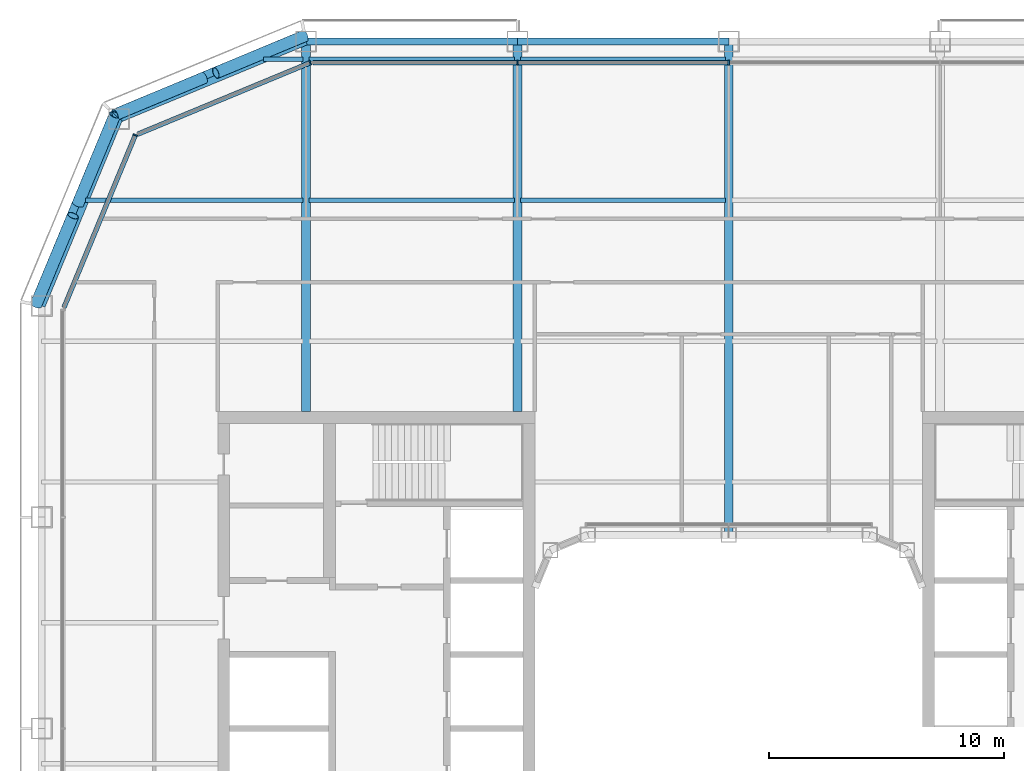
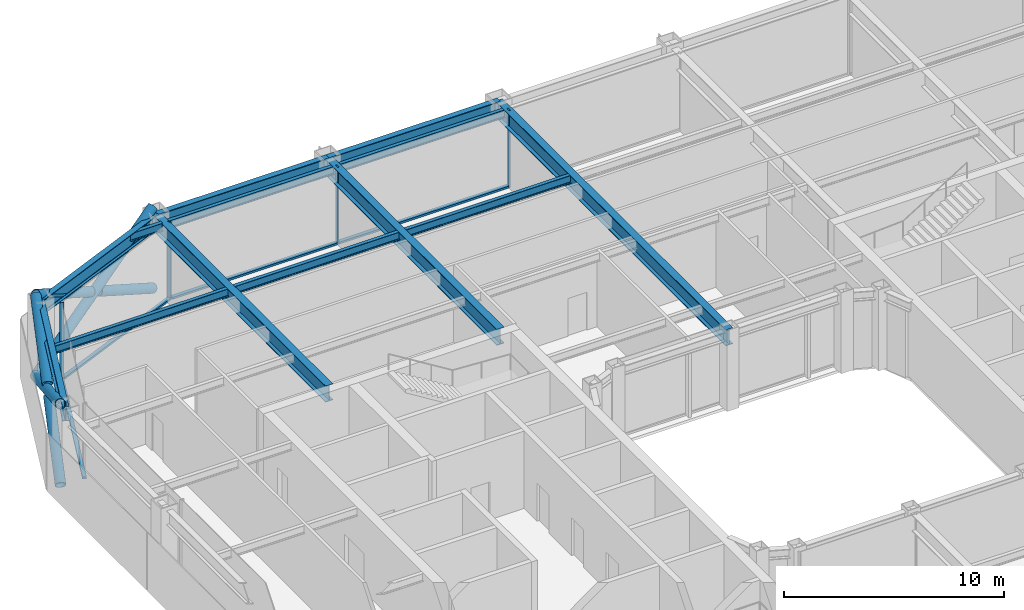
# One storey, part 7 of 21: 14 members, 13 beams, 3 elements without a shape of their own.
"""IFC4 building model written with IfcOpenShell, lengths in metres."""

from ifc_helpers import new_model, si_unit, direction, frame, origin, origin_2d, place, context, subcontext, project, spatial, rectangle, hollow_circle, i_section, extrude, material, layer, layer_set, material_profile, profile_set, type_object, element, aggregate, save


model = new_model("IFC4")

# Units and contexts
model_context = context("Model", 3, precision=1e-05, world=origin(), true_north=direction((0.0, 1.0)))
body_context = subcontext(model_context, "Body", "Model", "MODEL_VIEW")
ifc_project = project(units=[si_unit("LENGTHUNIT", "METRE"), si_unit("AREAUNIT", "SQUARE_METRE"), si_unit("VOLUMEUNIT", "CUBIC_METRE"), si_unit("PLANEANGLEUNIT", "RADIAN"), si_unit("MASSUNIT", "GRAM", prefix="KILO")], contexts=[model_context])

# Site, building, storey
site_placement = place(None, origin())
site = spatial("IfcSite", under=ifc_project, at=site_placement, CompositionType="ELEMENT")
building_placement = place(site_placement, origin())
building = spatial("IfcBuilding", under=site, at=building_placement, Name="Siwar Civic Tower", CompositionType="ELEMENT")
storey_placement = place(building_placement, frame((0.0, 0.0, 176.699951171875)))
storey = spatial("IfcBuildingStorey", under=building, at=storey_placement, Name="L38", CompositionType="ELEMENT", Elevation=176.699951171875)

# Curtain wall, members
ifc_material_1 = material(Name="Aluminium and glass", Category="aluminium")
ifc_layer_1 = layer(ifc_material_1, 0.199951171875)
ifc_layer_set_1 = layer_set([ifc_layer_1], Name="Aluminium and glass")
curtain_wall_type_1 = type_object("IfcCurtainWallType", Name="ENV-CW-B", PredefinedType="NOTDEFINED", material=ifc_layer_set_1)
curtain_wall_1_placement = place(storey_placement, origin())
curtain_wall_1 = element("IfcCurtainWall", 1, at=curtain_wall_1_placement, inside=storey, type_object=curtain_wall_type_1, Name="Curtain wall B N", PredefinedType="NOTDEFINED")
ifc_material_2 = material(Name="Aluminium 6063-T6", Category="aluminium")
ifc_material_profile_1 = material_profile(ifc_material_2, rectangle(XDim=0.199951171875, YDim=0.06494140625, at=origin_2d()), Name="AL 200x65")
ifc_profile_set_1 = profile_set([ifc_material_profile_1], Name="Aluminium 6063-T6")
member_type_1 = type_object("IfcMemberType", Name="ENV-MULLION-B", PredefinedType="MULLION", material=ifc_profile_set_1)
member_1_placement = place(storey_placement, frame((0.0, 28.35009765625, 0.0), z_axis=(0.0, 0.0, 1.0), x_axis=(0.0, -1.0, 0.0)))
member_1 = element("IfcMember", 2, at=member_1_placement, type_object=member_type_1, Name="Mullion B N 3", PredefinedType="MULLION", context=body_context, shape_type="SweptSolid", body=[
    extrude(rectangle(XDim=0.199951171875, YDim=0.06494140625, at=origin_2d()), origin(), (0.0, 0.0, 1.0), 4.300048828125),
])
member_2_placement = place(storey_placement, frame((-9.0, 28.35009765625, 0.0), z_axis=(0.0, 0.0, 1.0), x_axis=(0.0, -1.0, 0.0)))
member_2 = element("IfcMember", 3, at=member_2_placement, type_object=member_type_1, Name="Mullion B N 4", PredefinedType="MULLION", context=body_context, shape_type="SweptSolid", body=[
    extrude(rectangle(XDim=0.199951171875, YDim=0.06494140625, at=origin_2d()), origin(), (0.0, 0.0, 1.0), 4.300048828125),
])

# Curtain wall, member
ifc_material_3 = material(Name="Aluminium clad insulated panel", Category="aluminium")
ifc_layer_2 = layer(ifc_material_3, 0.199951171875)
ifc_layer_set_2 = layer_set([ifc_layer_2], Name="Aluminium clad insulated panel")
curtain_wall_type_2 = type_object("IfcCurtainWallType", Name="ENV-CW-BX", PredefinedType="NOTDEFINED", material=ifc_layer_set_2)
curtain_wall_2_placement = place(storey_placement, origin())
curtain_wall_2 = element("IfcCurtainWall", 4, at=curtain_wall_2_placement, inside=storey, type_object=curtain_wall_type_2, Name="Curtain wall B NW1", PredefinedType="NOTDEFINED")
member_3_placement = place(storey_placement, frame((-17.821044921875, 28.35009765625, 0.0), z_axis=(0.0, 0.0, 1.0), x_axis=(0.382683432365, -0.923879532511, 0.0)))
member_3 = element("IfcMember", 5, at=member_3_placement, type_object=member_type_1, Name="Mullion B NW1 1", PredefinedType="MULLION", context=body_context, shape_type="SweptSolid", body=[
    extrude(rectangle(XDim=0.199951171875, YDim=0.06494140625, at=origin_2d()), origin(), (0.0, 0.0, 1.0), 4.300048828125),
])

curtain_wall_3_placement = place(storey_placement, origin())
curtain_wall_3 = element("IfcCurtainWall", 6, at=curtain_wall_3_placement, inside=storey, type_object=curtain_wall_type_2, Name="Curtain wall B NW2", PredefinedType="NOTDEFINED")
member_4_placement = place(storey_placement, frame((-25.26611328125, 25.26611328125, 0.0), z_axis=(0.0, 0.0, 1.0), x_axis=(0.923879532511, -0.382683432365, 0.0)))
member_4 = element("IfcMember", 7, at=member_4_placement, type_object=member_type_1, Name="Mullion B NW2 1", PredefinedType="MULLION", context=body_context, shape_type="SweptSolid", body=[
    extrude(rectangle(XDim=0.199951171875, YDim=0.06494140625, at=origin_2d()), origin(), (0.0, 0.0, 1.0), 4.300048828125),
])

# Member
ifc_material_4 = material(Name="Aluminium 6063-T6", Category="aluminium")
ifc_material_profile_2 = material_profile(ifc_material_4, rectangle(XDim=0.199951171875, YDim=0.110107421875, at=origin_2d()), Name="AL 200x110")
ifc_profile_set_2 = profile_set([ifc_material_profile_2], Name="Aluminium 6063-T6")
member_type_2 = type_object("IfcMemberType", Name="ENV-TRANSOM-B", PredefinedType="USERDEFINED", material=ifc_profile_set_2)
member_5_placement = place(storey_placement, frame((-0.032470703125, 28.35009765625, 0.054931640625), z_axis=(-1.0, 0.0, 0.0), x_axis=(0.0, -1.0, 0.0)))
member_5 = element("IfcMember", 8, at=member_5_placement, type_object=member_type_2, Name="Transom B N 3", ObjectType="TRANSOM", PredefinedType="USERDEFINED", context=body_context, shape_type="SweptSolid", body=[
    extrude(rectangle(XDim=0.199951171875, YDim=0.110107421875, at=origin_2d()), origin(), (0.0, 0.0, 1.0), 8.93505859375),
])

member_6_placement = place(storey_placement, frame((-9.032470703125, 28.35009765625, 0.054931640625), z_axis=(-1.0, 0.0, 0.0), x_axis=(0.0, -1.0, 0.0)))
member_6 = element("IfcMember", 9, at=member_6_placement, type_object=member_type_2, Name="Transom B N 4", ObjectType="TRANSOM", PredefinedType="USERDEFINED", context=body_context, shape_type="SweptSolid", body=[
    extrude(rectangle(XDim=0.199951171875, YDim=0.110107421875, at=origin_2d()), origin(), (0.0, 0.0, 1.0), 8.6748046875),
])

aggregate(curtain_wall_1, [member_1, member_2, member_5, member_6])

member_7_placement = place(storey_placement, frame((-17.85107421875, 28.337646484375, 0.054931640625), z_axis=(-0.92387279587, -0.382699695651, 0.0), x_axis=(0.382699695651, -0.92387279587, 0.0)))
member_7 = element("IfcMember", 10, at=member_7_placement, type_object=member_type_2, Name="Transom B NW1 1", ObjectType="TRANSOM", PredefinedType="USERDEFINED", context=body_context, shape_type="SweptSolid", body=[
    extrude(rectangle(XDim=0.199951171875, YDim=0.110107421875, at=origin_2d()), origin(), (0.0, 0.0, 1.0), 7.912353515625),
])

aggregate(curtain_wall_2, [member_3, member_7])

member_8_placement = place(storey_placement, frame((-25.278564453125, 25.236083984375, 0.054931640625), z_axis=(-0.382673358825, -0.923883705044, 0.0), x_axis=(0.923883705044, -0.382673358825, 0.0)))
member_8 = element("IfcMember", 11, at=member_8_placement, type_object=member_type_2, Name="Transom B NW2 1", ObjectType="TRANSOM", PredefinedType="USERDEFINED", context=body_context, shape_type="SweptSolid", body=[
    extrude(rectangle(XDim=0.199951171875, YDim=0.110107421875, at=origin_2d()), origin(), (0.0, 0.0, 1.0), 7.912353515625),
])

aggregate(curtain_wall_3, [member_4, member_8])

# Members
ifc_material_5 = material(Name="Steel S355", Category="steel")
ifc_material_profile_3 = material_profile(ifc_material_5, hollow_circle(Radius=0.25390625, WallThickness=0.02490234375, at=origin_2d()), Name="CHS508x25")
ifc_profile_set_3 = profile_set([ifc_material_profile_3], Name="Steel S355")
member_type_3 = type_object("IfcMemberType", Name="STR-BR-CHS508x25", PredefinedType="BRACE", material=ifc_profile_set_3)
member_9_placement = place(storey_placement, frame((-26.1318359375, 26.1318359375, 0.0), z_axis=(-0.341671493852, -0.821142553604, 0.457149315816), x_axis=(0.923264922524, -0.384163874976, 0.0)))
element("IfcMember", 12, at=member_9_placement, inside=storey, type_object=member_type_3, Name="L38/brc/BNW1-17-0-1", PredefinedType="BRACE", context=body_context, shape_type="SweptSolid", body=[
    extrude(hollow_circle(Radius=0.25390625, WallThickness=0.02490234375, at=origin_2d()), origin(), (0.0, 0.0, 1.0), 9.843505859375),
])
for number, where, z_axis, x_axis, name in (
    (13, (-29.4951171875, 18.048828125, 0.0), (0.341677318012, 0.821126041429, 0.457174621391), (-0.923259859753, 0.384176042158, 0.0), "L38/brc/BNW1-17-0-2"),
    (14, (-27.70849609375, 22.342529296875, 2.390625), (0.341670737976, 0.821163134736, 0.457112910516), (-0.923268638995, 0.384154943021, 0.0), "L38/brc/BNW1-17-0-3"),
):
    element("IfcMember", number, at=place(storey_placement, frame(where, z_axis=z_axis, x_axis=x_axis)), inside=storey, type_object=member_type_3, Name=name, PredefinedType="BRACE", context=body_context, shape_type="SweptSolid", body=[
        extrude(hollow_circle(Radius=0.25390625, WallThickness=0.02490234375, at=origin_2d()), origin(), (0.0, 0.0, 1.0), 4.614501953125),
    ])
member_10_placement = place(storey_placement, frame((-26.1318359375, 26.1318359375, 0.0), z_axis=(0.821142553604, 0.341671493852, 0.457149315816), x_axis=(-0.384163874976, 0.923264922524, 0.0)))
element("IfcMember", 15, at=member_10_placement, inside=storey, type_object=member_type_3, Name="L38/brc/BNW1-17-0-0", PredefinedType="BRACE", context=body_context, shape_type="SweptSolid", body=[
    extrude(hollow_circle(Radius=0.25390625, WallThickness=0.02490234375, at=origin_2d()), origin(), (0.0, 0.0, 1.0), 9.843505859375),
])
for number, where, z_axis, x_axis, name in (
    (16, (-18.048828125, 29.4951171875, 0.0), (-0.821126041429, -0.341677318012, 0.457174621391), (0.384176042158, -0.923259859753, 0.0), "L38/brc/BNW1-17-0-4"),
    (17, (-22.342529296875, 27.70849609375, 2.390625), (-0.821163134736, -0.341670737976, 0.457112910516), (0.384154943021, -0.923268638995, 0.0), "L38/brc/BNW1-17-0-5"),
):
    element("IfcMember", number, at=place(storey_placement, frame(where, z_axis=z_axis, x_axis=x_axis)), inside=storey, type_object=member_type_3, Name=name, PredefinedType="BRACE", context=body_context, shape_type="SweptSolid", body=[
        extrude(hollow_circle(Radius=0.25390625, WallThickness=0.02490234375, at=origin_2d()), origin(), (0.0, 0.0, 1.0), 4.614501953125),
    ])

# Beams
ifc_material_6 = material(Name="Steel S355", Category="steel")
ifc_material_profile_4 = material_profile(ifc_material_6, i_section(OverallWidth=0.18994140625, OverallDepth=0.449951171875, WebThickness=0.009521484375, FlangeThickness=0.0146484375, FilletRadius=0.02099609375, at=origin_2d()), Name="IPE450")
ifc_profile_set_4 = profile_set([ifc_material_profile_4], Name="Steel S355")
beam_type_1 = type_object("IfcBeamType", Name="STR-FB-IPE450", PredefinedType="JOIST", material=ifc_profile_set_4)
beam_1_placement = place(storey_placement, frame((-27.385986328125, 22.5, 4.074951171875), z_axis=(1.0, 0.0, 0.0), x_axis=(0.0, 1.0, 0.0)))
element("IfcBeam", 18, at=beam_1_placement, inside=storey, type_object=beam_type_1, Name="L38/bm/F037", PredefinedType="JOIST", context=body_context, shape_type="SweptSolid", body=[
    extrude(i_section(OverallWidth=0.18994140625, OverallDepth=0.449951171875, WebThickness=0.009521484375, FlangeThickness=0.0146484375, FilletRadius=0.02099609375, at=origin_2d()), origin(), (0.0, 0.0, 1.0), 9.256103515625),
])
for number, where, z_axis, x_axis, name in (
    (19, (-17.8701171875, 22.5, 4.074951171875), (1.0, 0.0, 0.0), (0.0, 1.0, 0.0), "L38/bm/F038"),
    (20, (-8.8701171875, 22.5, 4.074951171875), (1.0, 0.0, 0.0), (0.0, 1.0, 0.0), "L38/bm/F039"),
):
    element("IfcBeam", number, at=place(storey_placement, frame(where, z_axis=z_axis, x_axis=x_axis)), inside=storey, type_object=beam_type_1, Name=name, PredefinedType="JOIST", context=body_context, shape_type="SweptSolid", body=[
        extrude(i_section(OverallWidth=0.18994140625, OverallDepth=0.449951171875, WebThickness=0.009521484375, FlangeThickness=0.0146484375, FilletRadius=0.02099609375, at=origin_2d()), origin(), (0.0, 0.0, 1.0), 8.740234375),
    ])
beam_2_placement = place(storey_placement, frame((-19.810546875, 28.5, 4.074951171875), z_axis=(1.0, 0.0, 0.0), x_axis=(0.0, 1.0, 0.0)))
element("IfcBeam", 21, at=beam_2_placement, inside=storey, type_object=beam_type_1, Name="L38/bm/F043", PredefinedType="JOIST", context=body_context, shape_type="SweptSolid", body=[
    extrude(i_section(OverallWidth=0.18994140625, OverallDepth=0.449951171875, WebThickness=0.009521484375, FlangeThickness=0.0146484375, FilletRadius=0.02099609375, at=origin_2d()), origin(), (0.0, 0.0, 1.0), 1.6806640625),
])
for number, where, z_axis, x_axis, name in (
    (22, (-17.8701171875, 28.5, 4.074951171875), (1.0, 0.0, 0.0), (0.0, 1.0, 0.0), "L38/bm/F044"),
    (23, (-8.8701171875, 28.5, 4.074951171875), (1.0, 0.0, 0.0), (0.0, 1.0, 0.0), "L38/bm/F045"),
):
    element("IfcBeam", number, at=place(storey_placement, frame(where, z_axis=z_axis, x_axis=x_axis)), inside=storey, type_object=beam_type_1, Name=name, PredefinedType="JOIST", context=body_context, shape_type="SweptSolid", body=[
        extrude(i_section(OverallWidth=0.18994140625, OverallDepth=0.449951171875, WebThickness=0.009521484375, FlangeThickness=0.0146484375, FilletRadius=0.02099609375, at=origin_2d()), origin(), (0.0, 0.0, 1.0), 8.740234375),
    ])
ifc_material_7 = material(Name="Steel S355", Category="steel")
ifc_material_profile_5 = material_profile(ifc_material_7, i_section(OverallWidth=0.3798828125, OverallDepth=0.89990234375, WebThickness=0.01611328125, FlangeThickness=0.035888671875, at=origin_2d()), Name="PG900x380x16x36")
ifc_profile_set_5 = profile_set([ifc_material_profile_5], Name="Steel S355")
beam_type_2 = type_object("IfcBeamType", Name="STR-PG-PG900x380x16x36", PredefinedType="BEAM", material=ifc_profile_set_5)
for number, where, z_axis, x_axis, name in (
    (24, (-18.0, 13.5, 3.85009765625), (0.0, 1.0, 0.0), (-1.0, 0.0, 0.0), "L38/bm/G02"),
    (25, (-9.0, 13.5, 3.85009765625), (0.0, 1.0, 0.0), (-1.0, 0.0, 0.0), "L38/bm/G04"),
):
    element("IfcBeam", number, at=place(storey_placement, frame(where, z_axis=z_axis, x_axis=x_axis)), inside=storey, type_object=beam_type_2, Name=name, PredefinedType="BEAM", context=body_context, shape_type="SweptSolid", body=[
        extrude(i_section(OverallWidth=0.3798828125, OverallDepth=0.89990234375, WebThickness=0.01611328125, FlangeThickness=0.035888671875, at=origin_2d()), origin(), (0.0, 0.0, 1.0), 15.75),
    ])
beam_3_placement = place(storey_placement, frame((0.0, 8.25, 3.85009765625), z_axis=(0.0, 1.0, 0.0), x_axis=(-1.0, 0.0, 0.0)))
element("IfcBeam", 26, at=beam_3_placement, inside=storey, type_object=beam_type_2, Name="L38/bm/G06", PredefinedType="BEAM", context=body_context, shape_type="SweptSolid", body=[
    extrude(i_section(OverallWidth=0.3798828125, OverallDepth=0.89990234375, WebThickness=0.01611328125, FlangeThickness=0.035888671875, at=origin_2d()), origin(), (0.0, 0.0, 1.0), 21.0),
])
ifc_material_8 = material(Name="Steel S355", Category="steel")
ifc_material_profile_6 = material_profile(ifc_material_8, i_section(OverallWidth=0.300048828125, OverallDepth=0.800048828125, WebThickness=0.017578125, FlangeThickness=0.032958984375, FilletRadius=0.030029296875, at=origin_2d()), Name="HEB800")
ifc_profile_set_6 = profile_set([ifc_material_profile_6], Name="Steel S355")
beam_type_3 = type_object("IfcBeamType", Name="STR-SB-HEB800", PredefinedType="BEAM", material=ifc_profile_set_6)
for number, where, z_axis, x_axis, name in (
    (27, (0.0, 29.25, 3.900146484375), (-1.0, 0.0, 0.0), (0.0, -1.0, 0.0), "L38/bm/SN-2"),
    (28, (-9.0, 29.25, 3.900146484375), (-1.0, 0.0, 0.0), (0.0, -1.0, 0.0), "L38/bm/SN-3"),
):
    element("IfcBeam", number, at=place(storey_placement, frame(where, z_axis=z_axis, x_axis=x_axis)), inside=storey, type_object=beam_type_3, Name=name, PredefinedType="BEAM", context=body_context, shape_type="SweptSolid", body=[
        extrude(i_section(OverallWidth=0.300048828125, OverallDepth=0.800048828125, WebThickness=0.017578125, FlangeThickness=0.032958984375, FilletRadius=0.030029296875, at=origin_2d()), origin(), (0.0, 0.0, 1.0), 9.0),
    ])
for number, where, z_axis, x_axis, name in (
    (29, (-18.0, 29.25, 3.900146484375), (-0.923872720536, -0.382699877515, 0.0), (0.382699877515, -0.923872720536, 0.0), "L38/bm/SNW1-0"),
    (30, (-25.954833984375, 25.954833984375, 3.900146484375), (-0.382699877515, -0.923872720536, 0.0), (0.923872720536, -0.382699877515, 0.0), "L38/bm/SNW2-0"),
):
    element("IfcBeam", number, at=place(storey_placement, frame(where, z_axis=z_axis, x_axis=x_axis)), inside=storey, type_object=beam_type_3, Name=name, PredefinedType="BEAM", context=body_context, shape_type="SweptSolid", body=[
        extrude(i_section(OverallWidth=0.300048828125, OverallDepth=0.800048828125, WebThickness=0.017578125, FlangeThickness=0.032958984375, FilletRadius=0.030029296875, at=origin_2d()), origin(), (0.0, 0.0, 1.0), 8.6103515625),
    ])

save(model, "model.ifc")
